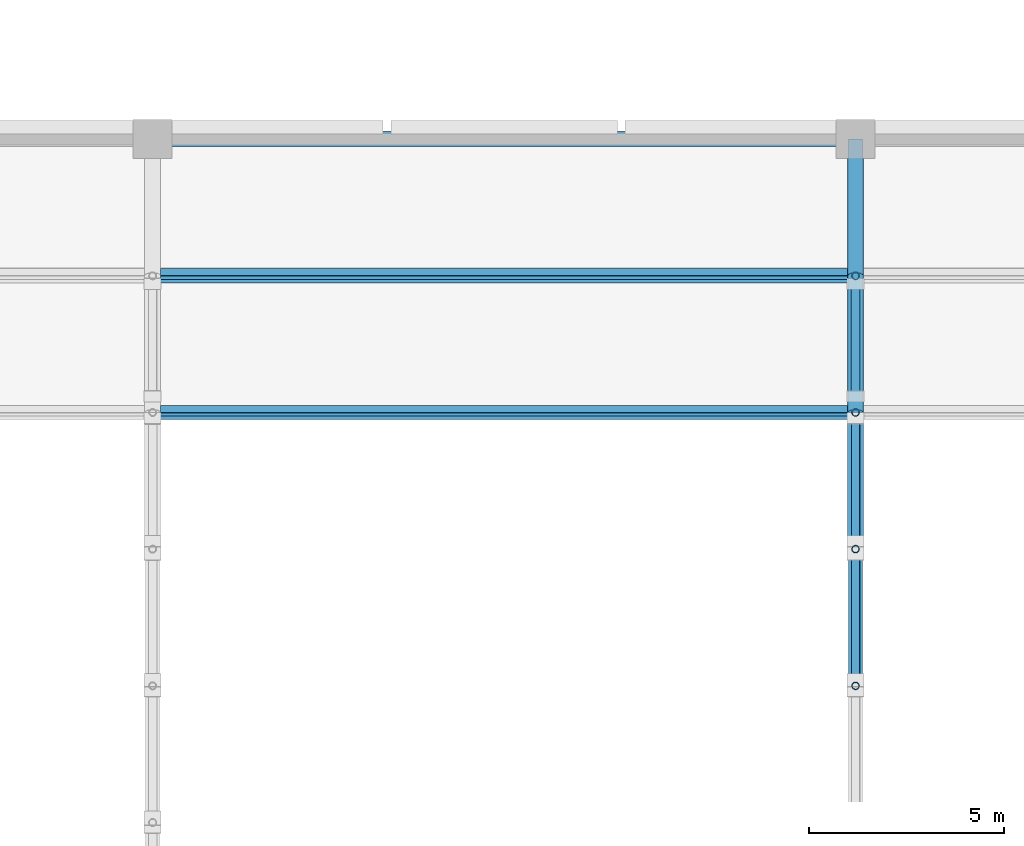
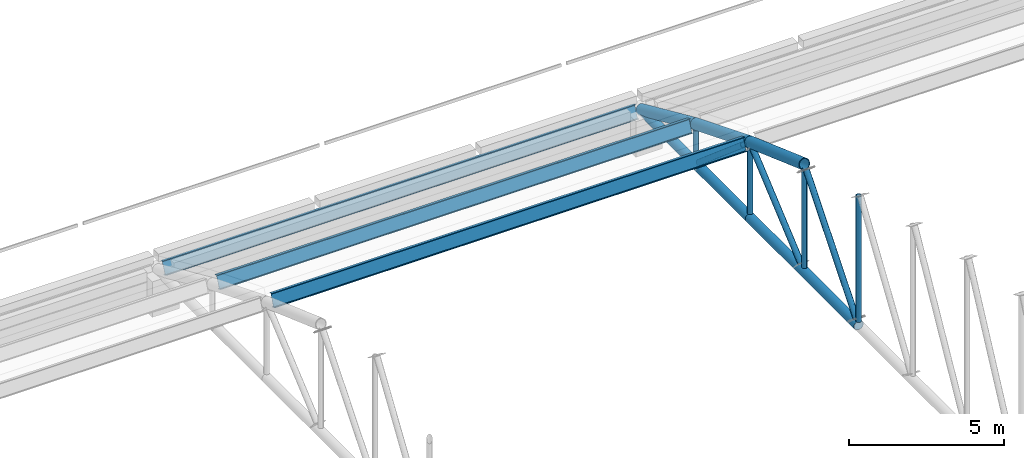
# One storey, part 78 of 196: 15 members.
"""IFC4 building model written with IfcOpenShell, lengths in metres."""

from ifc_helpers import new_model, si_unit, direction, frame, origin, origin_2d, place, context, subcontext, project, spatial, hollow_circle, i_section, extrude, material, material_profile, profile_set, type_object, element, save


model = new_model("IFC4")

# Units and contexts
model_context = context("Model", 3, precision=1e-05, world=origin(), true_north=direction((0.0, 1.0)))
body_context = subcontext(model_context, "Body", "Model", "MODEL_VIEW")
ifc_project = project(units=[si_unit("LENGTHUNIT", "METRE"), si_unit("AREAUNIT", "SQUARE_METRE"), si_unit("VOLUMEUNIT", "CUBIC_METRE"), si_unit("PLANEANGLEUNIT", "RADIAN"), si_unit("MASSUNIT", "GRAM", prefix="KILO")], contexts=[model_context])

# Site, building, storey
site_placement = place(None, origin())
site = spatial("IfcSite", under=ifc_project, at=site_placement, CompositionType="ELEMENT")
building_placement = place(site_placement, origin())
building = spatial("IfcBuilding", under=site, at=building_placement, Name="Okhra Congress Centre", CompositionType="ELEMENT")
storey_placement = place(building_placement, frame((0.0, 0.0, 12.0)))
storey = spatial("IfcBuildingStorey", under=building, at=storey_placement, Name="L02", CompositionType="ELEMENT", Elevation=12.0)

# Members
ifc_material_1 = material(Name="Steel S355J2H", Category="steel")
ifc_material_profile_1 = material_profile(ifc_material_1, hollow_circle(Radius=0.096923828125, WallThickness=0.012451171875, at=origin_2d()), Name="CHS 193.7x12.5")
ifc_profile_set_1 = profile_set([ifc_material_profile_1], Name="Steel S355J2H")
member_type_1 = type_object("IfcMemberType", Name="CHS 193.7x12.5", PredefinedType="POST", material=ifc_profile_set_1)
member_1_placement = place(storey_placement, frame((100.0, 202.0, 1.577880859375), z_axis=(0.0, 0.0, 1.0), x_axis=(1.0, 0.0, 0.0)))
element("IfcMember", 1, at=member_1_placement, inside=storey, type_object=member_type_1, Name="EH.MEM.L02.T5-VER-20", PredefinedType="POST", context=body_context, shape_type="SweptSolid", body=[
    extrude(hollow_circle(Radius=0.096923828125, WallThickness=0.012451171875, at=origin_2d()), origin(), (0.0, 0.0, 1.0), 4.947998046875),
])
member_2_placement = place(storey_placement, frame((100.0, 205.5, 1.577880859375), z_axis=(0.0, 0.0, 1.0), x_axis=(1.0, 0.0, 0.0)))
element("IfcMember", 2, at=member_2_placement, inside=storey, type_object=member_type_1, Name="EH.MEM.L02.T5-VER-21", PredefinedType="POST", context=body_context, shape_type="SweptSolid", body=[
    extrude(hollow_circle(Radius=0.096923828125, WallThickness=0.012451171875, at=origin_2d()), origin(), (0.0, 0.0, 1.0), 3.836669921875),
])
member_3_placement = place(storey_placement, frame((100.0, 209.0, 1.577880859375), z_axis=(0.0, 0.0, 1.0), x_axis=(1.0, 0.0, 0.0)))
element("IfcMember", 3, at=member_3_placement, inside=storey, type_object=member_type_1, Name="EH.MEM.L02.T5-VER-22", PredefinedType="POST", context=body_context, shape_type="SweptSolid", body=[
    extrude(hollow_circle(Radius=0.096923828125, WallThickness=0.012451171875, at=origin_2d()), origin(), (0.0, 0.0, 1.0), 2.578857421875),
])
member_4_placement = place(storey_placement, frame((100.0, 212.5, 1.577880859375), z_axis=(0.0, 0.0, 1.0), x_axis=(1.0, 0.0, 0.0)))
element("IfcMember", 4, at=member_4_placement, inside=storey, type_object=member_type_1, Name="EH.MEM.L02.T5-VER-23", PredefinedType="POST", context=body_context, shape_type="SweptSolid", body=[
    extrude(hollow_circle(Radius=0.096923828125, WallThickness=0.012451171875, at=origin_2d()), origin(), (0.0, 0.0, 1.0), 1.168212890625),
])
ifc_material_profile_2 = material_profile(ifc_material_1, hollow_circle(Radius=0.109619140625, WallThickness=0.012451171875, at=origin_2d()), Name="CHS 219.1x12.5")
ifc_profile_set_2 = profile_set([ifc_material_profile_2], Name="Steel S355J2H")
member_type_2 = type_object("IfcMemberType", Name="CHS 219.1x12.5", PredefinedType="BRACE", material=ifc_profile_set_2)
member_5_placement = place(storey_placement, frame((100.0, 205.373779296875, 5.476318359375), z_axis=(0.0, -0.637599309049, -0.770368172435), x_axis=(1.0, 0.0, 0.0)))
element("IfcMember", 5, at=member_5_placement, inside=storey, type_object=member_type_2, Name="EH.MEM.L02.T5-DIA-20", PredefinedType="BRACE", context=body_context, shape_type="SweptSolid", body=[
    extrude(hollow_circle(Radius=0.109619140625, WallThickness=0.012451171875, at=origin_2d()), origin(), (0.0, 0.0, 1.0), 5.060546875),
])
member_6_placement = place(storey_placement, frame((100.0, 208.8388671875, 4.237060546875), z_axis=(0.0, -0.762061047132, -0.64750518179), x_axis=(1.0, 0.0, 0.0)))
element("IfcMember", 6, at=member_6_placement, inside=storey, type_object=member_type_2, Name="EH.MEM.L02.T5-DIA-21", PredefinedType="BRACE", context=body_context, shape_type="SweptSolid", body=[
    extrude(hollow_circle(Radius=0.109619140625, WallThickness=0.012451171875, at=origin_2d()), origin(), (0.0, 0.0, 1.0), 4.106689453125),
])
member_7_placement = place(storey_placement, frame((100.0, 209.42578125, 4.01220703125), z_axis=(0.0, 0.76205947483, -0.647507032257), x_axis=(-1.0, 0.0, 0.0)))
element("IfcMember", 7, at=member_7_placement, inside=storey, type_object=member_type_2, Name="EH.MEM.L02.T5-DIA-22", PredefinedType="BRACE", context=body_context, shape_type="SweptSolid", body=[
    extrude(hollow_circle(Radius=0.109619140625, WallThickness=0.012451171875, at=origin_2d()), origin(), (0.0, 0.0, 1.0), 3.759521484375),
])
ifc_material_profile_3 = material_profile(ifc_material_1, hollow_circle(Radius=0.177734375, WallThickness=0.01611328125, at=origin_2d()), Name="CHS 355.6x16.0")
ifc_profile_set_3 = profile_set([ifc_material_profile_3], Name="Steel S355J2H")
member_type_3 = type_object("IfcMemberType", Name="CHS 355.6x16.0", PredefinedType="CHORD", material=ifc_profile_set_3)
member_8_placement = place(storey_placement, frame((100.0, 202.0, 1.39990234375), z_axis=(0.0, 1.0, 0.0), x_axis=(-1.0, 0.0, 0.0)))
element("IfcMember", 8, at=member_8_placement, inside=storey, type_object=member_type_3, Name="EH.MEM.L02.T5-BOT-11", PredefinedType="CHORD", context=body_context, shape_type="SweptSolid", body=[
    extrude(hollow_circle(Radius=0.177734375, WallThickness=0.01611328125, at=origin_2d()), origin(), (0.0, 0.0, 1.0), 7.0),
])
ifc_material_profile_4 = material_profile(ifc_material_1, hollow_circle(Radius=0.177734375, WallThickness=0.02490234375, at=origin_2d()), Name="CHS 355.6x25.0")
ifc_profile_set_4 = profile_set([ifc_material_profile_4], Name="Steel S355J2H")
member_type_4 = type_object("IfcMemberType", Name="CHS 355.6x25.0", PredefinedType="CHORD", material=ifc_profile_set_4)
member_9_placement = place(storey_placement, frame((100.0, 209.0, 1.39990234375), z_axis=(0.0, 1.0, 0.0), x_axis=(-1.0, 0.0, 0.0)))
element("IfcMember", 9, at=member_9_placement, inside=storey, type_object=member_type_4, Name="EH.MEM.L02.T5-BOT-12", PredefinedType="CHORD", context=body_context, shape_type="SweptSolid", body=[
    extrude(hollow_circle(Radius=0.177734375, WallThickness=0.02490234375, at=origin_2d()), origin(), (0.0, 0.0, 1.0), 7.0),
])
ifc_material_profile_5 = material_profile(ifc_material_1, hollow_circle(Radius=0.203125, WallThickness=0.02490234375, at=origin_2d()), Name="CHS 406.4x25.0")
ifc_profile_set_5 = profile_set([ifc_material_profile_5], Name="Steel S355J2H")
member_type_5 = type_object("IfcMemberType", Name="CHS 406.4x25.0", PredefinedType="CHORD", material=ifc_profile_set_5)
member_10_placement = place(storey_placement, frame((100.0, 205.5, 5.629150390625), z_axis=(0.0, 0.941304373418, -0.337558997192), x_axis=(-1.0, 0.0, 0.0)))
element("IfcMember", 10, at=member_10_placement, inside=storey, type_object=member_type_5, Name="EH.MEM.L02.T5-TOP-22", PredefinedType="CHORD", context=body_context, shape_type="SweptSolid", body=[
    extrude(hollow_circle(Radius=0.203125, WallThickness=0.02490234375, at=origin_2d()), origin(), (0.0, 0.0, 1.0), 3.71826171875),
])
member_11_placement = place(storey_placement, frame((100.0, 209.0, 4.3740234375), z_axis=(0.0, 0.927814639871, -0.373041544658), x_axis=(-1.0, 0.0, 0.0)))
element("IfcMember", 11, at=member_11_placement, inside=storey, type_object=member_type_5, Name="EH.MEM.L02.T5-TOP-23", PredefinedType="CHORD", context=body_context, shape_type="SweptSolid", body=[
    extrude(hollow_circle(Radius=0.203125, WallThickness=0.02490234375, at=origin_2d()), origin(), (0.0, 0.0, 1.0), 3.772216796875),
])
member_12_placement = place(storey_placement, frame((100.0, 212.5, 2.966796875), z_axis=(0.0, 0.912710800597, -0.408606160591), x_axis=(-1.0, 0.0, 0.0)))
element("IfcMember", 12, at=member_12_placement, inside=storey, type_object=member_type_5, Name="EH.MEM.L02.T5-TOP-24", PredefinedType="CHORD", context=body_context, shape_type="SweptSolid", body=[
    extrude(hollow_circle(Radius=0.203125, WallThickness=0.02490234375, at=origin_2d()), origin(), (0.0, 0.0, 1.0), 3.834716796875),
])
ifc_material_2 = material(Name="Steel S355J2", Category="steel")
ifc_material_profile_6 = material_profile(ifc_material_2, i_section(OverallWidth=0.199951171875, OverallDepth=0.5, WebThickness=0.01025390625, FlangeThickness=0.01611328125, at=origin_2d()), Name="IPE 500")
ifc_profile_set_6 = profile_set([ifc_material_profile_6], Name="Steel S355J2")
member_type_6 = type_object("IfcMemberType", Name="IPE 500", PredefinedType="PURLIN", material=ifc_profile_set_6)
for number, where, z_axis, x_axis, name in (
    (13, (82.203125, 209.0, 4.3740234375), (1.0, 0.0, 0.0), (0.0, 0.934732963292, -0.355350935465), "EH.MEM.L02.PU4-23"),
    (14, (82.203125, 212.5, 2.966796875), (1.0, 0.0, 0.0), (0.0, 0.920437204489, -0.390890461118), "EH.MEM.L02.PU4-24"),
    (15, (82.203125, 216.0, 1.39990234375), (1.0, 0.0, 0.0), (0.0, 0.912721046606, -0.40858327313), "EH.MEM.L02.PU4-25"),
):
    element("IfcMember", number, at=place(storey_placement, frame(where, z_axis=z_axis, x_axis=x_axis)), inside=storey, type_object=member_type_6, Name=name, PredefinedType="PURLIN", context=body_context, shape_type="SweptSolid", body=[
        extrude(i_section(OverallWidth=0.199951171875, OverallDepth=0.5, WebThickness=0.01025390625, FlangeThickness=0.01611328125, at=origin_2d()), origin(), (0.0, 0.0, 1.0), 17.59375),
    ])

save(model, "model.ifc")
